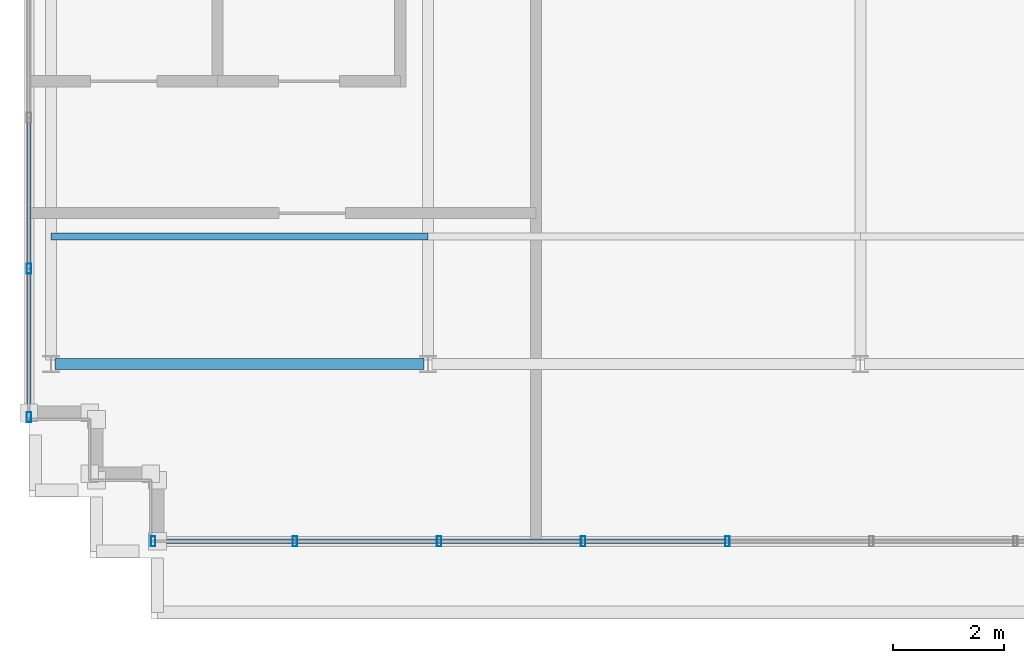
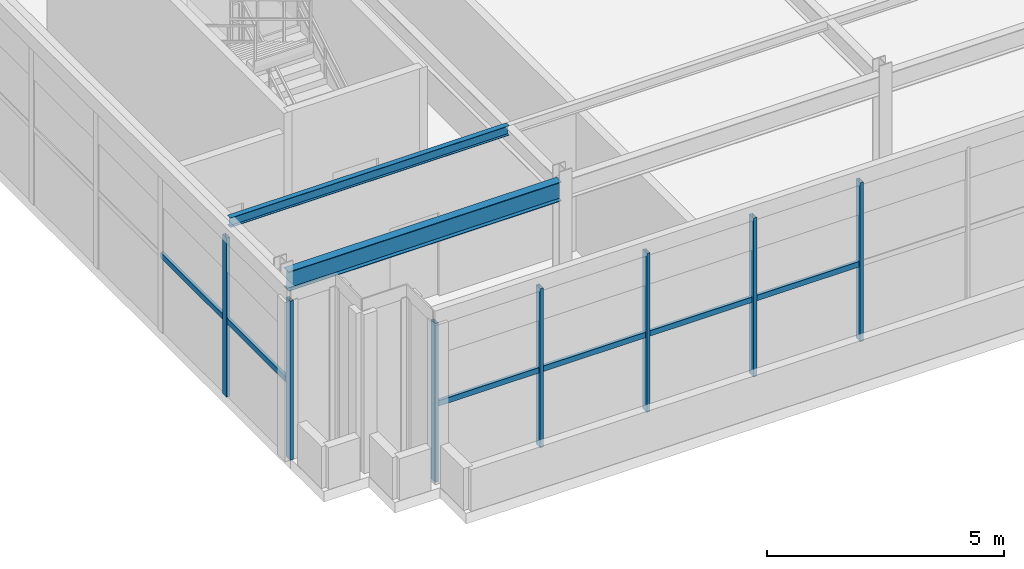
# One storey, part 3 of 37: 14 members, 1 beam, 2 elements without a shape of their own.
"""IFC4 building model written with IfcOpenShell, lengths in metres."""

from ifc_helpers import new_model, si_unit, direction, frame, origin, origin_2d, place, context, subcontext, project, spatial, hollow_rectangle, i_section, extrude, source, transform, mapped, material, material_profile, profile_set, type_object, element, aggregate, save


model = new_model("IFC4")

# Units and contexts
model_context = context("Model", 3, precision=1e-05, world=origin(), true_north=direction((0.0, 1.0)))
body_context = subcontext(model_context, "Body", "Model", "MODEL_VIEW")
ifc_project = project(units=[si_unit("LENGTHUNIT", "METRE"), si_unit("AREAUNIT", "SQUARE_METRE"), si_unit("VOLUMEUNIT", "CUBIC_METRE"), si_unit("PLANEANGLEUNIT", "RADIAN"), si_unit("MASSUNIT", "GRAM", prefix="KILO")], contexts=[model_context])

# Site, building, storey
site_placement = place(None, origin())
site = spatial("IfcSite", under=ifc_project, at=site_placement, CompositionType="ELEMENT")
building_placement = place(site_placement, origin())
building = spatial("IfcBuilding", under=site, at=building_placement, Name="Trelvane Seafront Commons", CompositionType="ELEMENT")
storey_placement = place(building_placement, frame((0.0, 0.0, 303.5)))
storey = spatial("IfcBuildingStorey", under=building, at=storey_placement, Name="L79", CompositionType="ELEMENT", Elevation=303.5)

# Beam
ifc_material_1 = material(Name="Steel SM355 (S355)", Category="steel")
ifc_material_profile_1 = material_profile(ifc_material_1, i_section(OverallWidth=0.199951171875, OverallDepth=0.5, WebThickness=0.010009765625, FlangeThickness=0.01611328125, at=origin_2d()), Name="H-500x200x10x16")
ifc_profile_set_1 = profile_set([ifc_material_profile_1], Name="Steel SM355 (S355)")
beam_type = type_object("IfcBeamType", Name="STR-CROWN-FRAME-RING", PredefinedType="SPANDREL", material=ifc_profile_set_1)
shared_shape_1 = source(origin(), body_context, "Body", "SweptSolid", [
    extrude(i_section(OverallWidth=0.199951171875, OverallDepth=0.5, WebThickness=0.010009765625, FlangeThickness=0.01611328125, at=origin_2d()), origin(), (0.0, 0.0, 1.0), 6.64990234375),
])
beam_placement = place(storey_placement, frame((8.875, 18.199951171875, 3.85009765625), z_axis=(1.0, 0.0, 0.0), x_axis=(0.0, 1.0, 0.0)))
element("IfcBeam", 1, at=beam_placement, inside=storey, type_object=beam_type, Name="L79 CROWN FRAME Ring Beam G-01", PredefinedType="SPANDREL", context=body_context, shape_type="MappedRepresentation", body=[
    mapped(shared_shape_1, transform((0.0, 0.0, 0.0), x_axis=(1.0, 0.0, 0.0), y_axis=(0.0, 1.0, 0.0), z_axis=(0.0, 0.0, 1.0), scale=1.0)),
])

# Member
ifc_material_profile_2 = material_profile(ifc_material_1, i_section(OverallWidth=0.125, OverallDepth=0.25, WebThickness=0.006103515625, FlangeThickness=0.009033203125, at=origin_2d()), Name="H-250x125x6x9")
ifc_profile_set_2 = profile_set([ifc_material_profile_2], Name="Steel SM355 (S355)")
member_type_1 = type_object("IfcMemberType", Name="STR-PUR-H250", PredefinedType="PURLIN", material=ifc_profile_set_2)
shared_shape_2 = source(origin(), body_context, "Body", "SweptSolid", [
    extrude(i_section(OverallWidth=0.125, OverallDepth=0.25, WebThickness=0.006103515625, FlangeThickness=0.009033203125, at=origin_2d()), origin(), (0.0, 0.0, 1.0), 6.800048828125),
])
member_1_placement = place(storey_placement, frame((8.800048828125, 20.5, 3.97509765625), z_axis=(1.0, 0.0, 0.0), x_axis=(0.0, 1.0, 0.0)))
element("IfcMember", 2, at=member_1_placement, inside=storey, type_object=member_type_1, Name="L79 Crown Roof Purlin PR-1", PredefinedType="PURLIN", context=body_context, shape_type="MappedRepresentation", body=[
    mapped(shared_shape_2, transform((0.0, 0.0, 0.0), x_axis=(1.0, 0.0, 0.0), y_axis=(0.0, 1.0, 0.0), z_axis=(0.0, 0.0, 1.0), scale=1.0)),
])

# Curtain wall, members
ifc_material_2 = material(Name="Anodised pale-silver aluminium", Category="aluminium")
curtain_wall_type = type_object("IfcCurtainWallType", Name="ARCH-CW6-CROWN", PredefinedType="NOTDEFINED", material=ifc_material_2)
curtain_wall_1_placement = place(storey_placement, origin())
curtain_wall_1 = element("IfcCurtainWall", 3, at=curtain_wall_1_placement, inside=storey, type_object=curtain_wall_type, Name="CW-L79-0128", PredefinedType="NOTDEFINED")
ifc_material_profile_3 = material_profile(ifc_material_2, hollow_rectangle(XDim=0.080078125, YDim=0.179931640625, WallThickness=0.00439453125, at=origin_2d()), Name="MULL-80x180x4.5")
ifc_profile_set_3 = profile_set([ifc_material_profile_3], Name="Anodised pale-silver aluminium")
member_type_2 = type_object("IfcMemberType", Name="ARCH-CW-MULL-180", PredefinedType="MULLION", material=ifc_profile_set_3)
shared_shape_3 = source(origin(), body_context, "Body", "SweptSolid", [
    extrude(hollow_rectangle(XDim=0.080078125, YDim=0.179931640625, WallThickness=0.00439453125, at=origin_2d()), origin(), (0.0, 0.0, 1.0), 4.10009765625),
])
member_2_placement = place(storey_placement, frame((8.39990234375, 17.239990234375, 0.0), z_axis=(0.0, 0.0, 1.0), x_axis=(1.0, 0.0, 0.0)))
member_2 = element("IfcMember", 4, at=member_2_placement, type_object=member_type_2, Name="CW-L79-0128-M00", PredefinedType="MULLION", context=body_context, shape_type="MappedRepresentation", body=[
    mapped(shared_shape_3, transform((0.0, 0.0, 0.0), x_axis=(1.0, 0.0, 0.0), y_axis=(0.0, 1.0, 0.0), z_axis=(0.0, 0.0, 1.0), scale=1.0)),
])
member_3_placement = place(storey_placement, frame((8.39990234375, 19.919921875, 0.0), z_axis=(0.0, 0.0, 1.0), x_axis=(1.0, 0.0, 0.0)))
member_3 = element("IfcMember", 5, at=member_3_placement, type_object=member_type_2, Name="CW-L79-0128-M01", PredefinedType="MULLION", context=body_context, shape_type="MappedRepresentation", body=[
    mapped(shared_shape_3, transform((0.0, 0.0, 0.0), x_axis=(1.0, 0.0, 0.0), y_axis=(0.0, 1.0, 0.0), z_axis=(0.0, 0.0, 1.0), scale=1.0)),
])

curtain_wall_2_placement = place(storey_placement, origin())
curtain_wall_2 = element("IfcCurtainWall", 6, at=curtain_wall_2_placement, inside=storey, type_object=curtain_wall_type, Name="CW-L79-0135", PredefinedType="NOTDEFINED")
member_4_placement = place(storey_placement, frame((21.0, 15.0, 0.0), z_axis=(0.0, 0.0, 1.0), x_axis=(1.0, 0.0, 0.0)))
member_4 = element("IfcMember", 7, at=member_4_placement, type_object=member_type_2, Name="CW-L79-0135-M04", PredefinedType="MULLION", context=body_context, shape_type="MappedRepresentation", body=[
    mapped(shared_shape_3, transform((0.0, 0.0, 0.0), x_axis=(1.0, 0.0, 0.0), y_axis=(0.0, 1.0, 0.0), z_axis=(0.0, 0.0, 1.0), scale=1.0)),
])
member_5_placement = place(storey_placement, frame((18.39990234375, 15.0, 0.0), z_axis=(0.0, 0.0, 1.0), x_axis=(1.0, 0.0, 0.0)))
member_5 = element("IfcMember", 8, at=member_5_placement, type_object=member_type_2, Name="CW-L79-0135-M05", PredefinedType="MULLION", context=body_context, shape_type="MappedRepresentation", body=[
    mapped(shared_shape_3, transform((0.0, 0.0, 0.0), x_axis=(1.0, 0.0, 0.0), y_axis=(0.0, 1.0, 0.0), z_axis=(0.0, 0.0, 1.0), scale=1.0)),
])
member_6_placement = place(storey_placement, frame((15.800048828125, 15.0, 0.0), z_axis=(0.0, 0.0, 1.0), x_axis=(1.0, 0.0, 0.0)))
member_6 = element("IfcMember", 9, at=member_6_placement, type_object=member_type_2, Name="CW-L79-0135-M06", PredefinedType="MULLION", context=body_context, shape_type="MappedRepresentation", body=[
    mapped(shared_shape_3, transform((0.0, 0.0, 0.0), x_axis=(1.0, 0.0, 0.0), y_axis=(0.0, 1.0, 0.0), z_axis=(0.0, 0.0, 1.0), scale=1.0)),
])
member_7_placement = place(storey_placement, frame((13.199951171875, 15.0, 0.0), z_axis=(0.0, 0.0, 1.0), x_axis=(1.0, 0.0, 0.0)))
member_7 = element("IfcMember", 10, at=member_7_placement, type_object=member_type_2, Name="CW-L79-0135-M07", PredefinedType="MULLION", context=body_context, shape_type="MappedRepresentation", body=[
    mapped(shared_shape_3, transform((0.0, 0.0, 0.0), x_axis=(1.0, 0.0, 0.0), y_axis=(0.0, 1.0, 0.0), z_axis=(0.0, 0.0, 1.0), scale=1.0)),
])
member_8_placement = place(storey_placement, frame((10.639892578125, 15.0, 0.0), z_axis=(0.0, 0.0, 1.0), x_axis=(1.0, 0.0, 0.0)))
member_8 = element("IfcMember", 11, at=member_8_placement, type_object=member_type_2, Name="CW-L79-0135-M08", PredefinedType="MULLION", context=body_context, shape_type="MappedRepresentation", body=[
    mapped(shared_shape_3, transform((0.0, 0.0, 0.0), x_axis=(1.0, 0.0, 0.0), y_axis=(0.0, 1.0, 0.0), z_axis=(0.0, 0.0, 1.0), scale=1.0)),
])

# Member
ifc_material_profile_4 = material_profile(ifc_material_2, hollow_rectangle(XDim=0.074951171875, YDim=0.139892578125, WallThickness=0.00390625, at=origin_2d()), Name="TRAN-75x140x4")
ifc_profile_set_4 = profile_set([ifc_material_profile_4], Name="Anodised pale-silver aluminium")
member_type_3 = type_object("IfcMemberType", Name="ARCH-CW-TRAN-140", PredefinedType="USERDEFINED", material=ifc_profile_set_4)
shared_shape_4 = source(origin(), body_context, "Body", "SweptSolid", [
    extrude(hollow_rectangle(XDim=0.074951171875, YDim=0.139892578125, WallThickness=0.00390625, at=origin_2d()), origin(), (0.0, 0.0, 1.0), 2.696044921875),
])
member_9_placement = place(storey_placement, frame((8.39990234375, 17.2119140625, 1.968017578125), z_axis=(0.0, 1.0, 0.0), x_axis=(-1.0, 0.0, 0.0)))
member_9 = element("IfcMember", 12, at=member_9_placement, type_object=member_type_3, Name="CW-L79-0128-T00", ObjectType="TRANSOM", PredefinedType="USERDEFINED", context=body_context, shape_type="MappedRepresentation", body=[
    mapped(shared_shape_4, transform((0.0, 0.0, 0.0), x_axis=(1.0, 0.0, 0.0), y_axis=(0.0, 1.0, 0.0), z_axis=(0.0, 0.0, 1.0), scale=1.0)),
])

member_10_placement = place(storey_placement, frame((8.39990234375, 19.931884765625, 1.968017578125), z_axis=(0.0, 1.0, 0.0), x_axis=(-1.0, 0.0, 0.0)))
member_10 = element("IfcMember", 13, at=member_10_placement, type_object=member_type_3, Name="CW-L79-0128-T01", ObjectType="TRANSOM", PredefinedType="USERDEFINED", context=body_context, shape_type="MappedRepresentation", body=[
    mapped(shared_shape_4, transform((0.0, 0.0, 0.0), x_axis=(1.0, 0.0, 0.0), y_axis=(0.0, 1.0, 0.0), z_axis=(0.0, 0.0, 1.0), scale=1.0)),
])

aggregate(curtain_wall_1, [member_2, member_3, member_9, member_10])

shared_shape_5 = source(origin(), body_context, "Body", "SweptSolid", [
    extrude(hollow_rectangle(XDim=0.074951171875, YDim=0.139892578125, WallThickness=0.00390625, at=origin_2d()), origin(), (0.0, 0.0, 1.0), 2.576171875),
])
member_11_placement = place(storey_placement, frame((15.7880859375, 15.0, 1.968017578125), z_axis=(-1.0, 0.0, 0.0), x_axis=(0.0, -1.0, 0.0)))
member_11 = element("IfcMember", 14, at=member_11_placement, type_object=member_type_3, Name="CW-L79-0135-T06", ObjectType="TRANSOM", PredefinedType="USERDEFINED", context=body_context, shape_type="MappedRepresentation", body=[
    mapped(shared_shape_5, transform((0.0, 0.0, 0.0), x_axis=(1.0, 0.0, 0.0), y_axis=(0.0, 1.0, 0.0), z_axis=(0.0, 0.0, 1.0), scale=1.0)),
])

shared_shape_6 = source(origin(), body_context, "Body", "SweptSolid", [
    extrude(hollow_rectangle(XDim=0.074951171875, YDim=0.139892578125, WallThickness=0.00390625, at=origin_2d()), origin(), (0.0, 0.0, 1.0), 2.575927734375),
])
member_12_placement = place(storey_placement, frame((20.988037109375, 15.0, 1.968017578125), z_axis=(-1.0, 0.0, 0.0), x_axis=(0.0, -1.0, 0.0)))
member_12 = element("IfcMember", 15, at=member_12_placement, type_object=member_type_3, Name="CW-L79-0135-T04", ObjectType="TRANSOM", PredefinedType="USERDEFINED", context=body_context, shape_type="MappedRepresentation", body=[
    mapped(shared_shape_6, transform((0.0, 0.0, 0.0), x_axis=(1.0, 0.0, 0.0), y_axis=(0.0, 1.0, 0.0), z_axis=(0.0, 0.0, 1.0), scale=1.0)),
])

member_13_placement = place(storey_placement, frame((18.387939453125, 15.0, 1.968017578125), z_axis=(-1.0, 0.0, 0.0), x_axis=(0.0, -1.0, 0.0)))
member_13 = element("IfcMember", 16, at=member_13_placement, type_object=member_type_3, Name="CW-L79-0135-T05", ObjectType="TRANSOM", PredefinedType="USERDEFINED", context=body_context, shape_type="MappedRepresentation", body=[
    mapped(shared_shape_6, transform((0.0, 0.0, 0.0), x_axis=(1.0, 0.0, 0.0), y_axis=(0.0, 1.0, 0.0), z_axis=(0.0, 0.0, 1.0), scale=1.0)),
])

member_14_placement = place(storey_placement, frame((13.18798828125, 15.0, 1.968017578125), z_axis=(-1.0, 0.0, 0.0), x_axis=(0.0, -1.0, 0.0)))
member_14 = element("IfcMember", 17, at=member_14_placement, type_object=member_type_3, Name="CW-L79-0135-T07", ObjectType="TRANSOM", PredefinedType="USERDEFINED", context=body_context, shape_type="MappedRepresentation", body=[
    mapped(shared_shape_6, transform((0.0, 0.0, 0.0), x_axis=(1.0, 0.0, 0.0), y_axis=(0.0, 1.0, 0.0), z_axis=(0.0, 0.0, 1.0), scale=1.0)),
])

aggregate(curtain_wall_2, [member_4, member_5, member_6, member_7, member_8, member_12, member_13, member_11, member_14])

save(model, "model.ifc")
